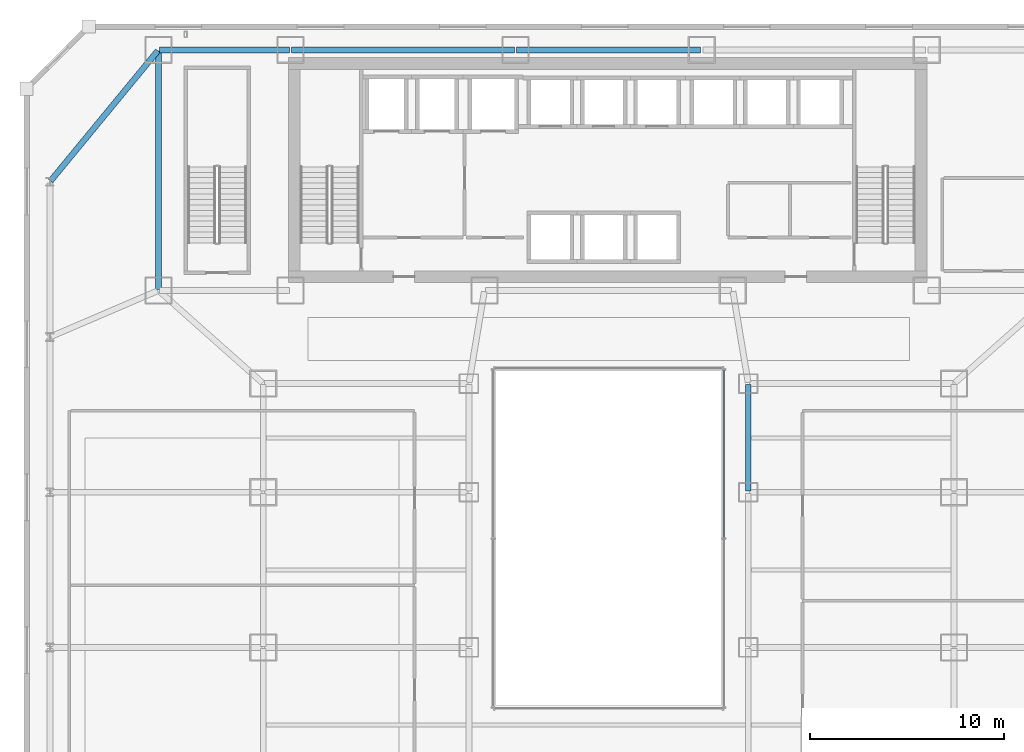
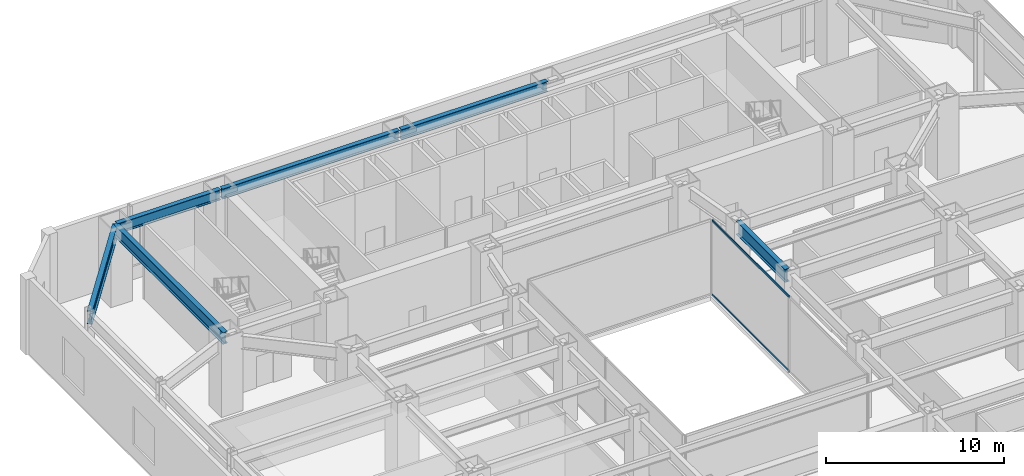
# One storey, part 25 of 53: 6 beams, 2 members, 1 element without a shape of its own.
"""IFC4 building model written with IfcOpenShell, lengths in metres."""

import ifcopenshell
import ifcopenshell.guid

model = None  # the IFC model being written
_history = None  # IfcOwnerHistory: only IFC2X3 demands one
_inside = {}  # id of a spatial element -> (the spatial element, [elements in it])
_under = {}  # id of a project, library or spatial element -> (it, [spatial elements below it])
_declared = {}  # id of a project -> (the project, [libraries it declares])
_typed = {}  # id of a type object -> (the type object, [elements of that type])
_made_of = {}  # id of a material, layer set ... -> (it, [elements and type objects made of it])


def new_model(schema):
    """Start an empty IFC model of exactly this schema.

    Asked for "IFC4X3", IfcOpenShell would pick the latest addendum, in which some entities
    have other attributes; the version numbers below select the first issue.
    IFC2X3 requires an IfcOwnerHistory on every rooted entity: one is made here for all.
    """
    global model, _history
    if schema == "IFC4X3":
        model = ifcopenshell.file(schema_version=(4, 3, 0, 0))
    else:
        model = ifcopenshell.file(schema=schema)
    _inside.clear()
    _under.clear()
    _declared.clear()
    _typed.clear()
    _made_of.clear()
    _history = None
    if model.schema == "IFC2X3":
        org = make("IfcOrganization", Name="unknown")
        user = make(
            "IfcPersonAndOrganization",
            ThePerson=make("IfcPerson", FamilyName="unknown"),
            TheOrganization=org,
        )
        app = make(
            "IfcApplication",
            ApplicationDeveloper=org,
            Version="unknown",
            ApplicationFullName="unknown",
            ApplicationIdentifier="unknown",
        )
        _history = make(
            "IfcOwnerHistory",
            OwningUser=user,
            OwningApplication=app,
            ChangeAction="ADDED",
            CreationDate=0,
        )
    return model


def make(cls, **values):
    """One entity of the class cls with the attributes given. An attribute that is None is left unset."""
    return model.create_entity(
        cls, **{name: value for name, value in values.items() if value is not None}
    )


def rooted(cls, **values):
    """An entity with a GlobalId (a new one), such as an element, a storey or a relation."""
    return make(cls, GlobalId=ifcopenshell.guid.new(), OwnerHistory=_history, **values)


def si_unit(unit_type, name, prefix=None):
    """IfcSIUnit, for example si_unit("LENGTHUNIT", "METRE", prefix="MILLI")."""
    return make("IfcSIUnit", UnitType=unit_type, Prefix=prefix, Name=name)


def assignment(units):
    """IfcUnitAssignment: the units of a project."""
    return None if units is None else make("IfcUnitAssignment", Units=units)


def point(xyz):
    """IfcCartesianPoint."""
    return None if xyz is None else make("IfcCartesianPoint", Coordinates=xyz)


def direction(xyz):
    """IfcDirection."""
    return None if xyz is None else make("IfcDirection", DirectionRatios=xyz)


def frame(location, z_axis=None, x_axis=None):
    """IfcAxis2Placement3D, a coordinate frame: its origin and axes. An axis left out is left unset."""
    return make(
        "IfcAxis2Placement3D",
        Location=point(location),
        Axis=direction(z_axis),
        RefDirection=direction(x_axis),
    )


def frame_2d(location, x_axis=None):
    """IfcAxis2Placement2D, a coordinate frame in the plane: its origin and x axis."""
    return make(
        "IfcAxis2Placement2D", Location=point(location), RefDirection=direction(x_axis)
    )


def origin():
    """The frame at (0, 0, 0) with its axes left unset."""
    return frame((0.0, 0.0, 0.0))


def origin_2d():
    """The frame at (0, 0) in the plane with its x axis left unset."""
    return frame_2d((0.0, 0.0))


def place(relative_to, where):
    """IfcLocalPlacement: puts the frame where relative to a parent placement (None: the world)."""
    return make(
        "IfcLocalPlacement", PlacementRelTo=relative_to, RelativePlacement=where
    )


def context(
    kind, dimensions, precision=None, world=None, true_north=None, identifier=None
):
    """IfcGeometricRepresentationContext, for example the 3D "Model" context."""
    return make(
        "IfcGeometricRepresentationContext",
        ContextIdentifier=identifier,
        ContextType=kind,
        CoordinateSpaceDimension=dimensions,
        Precision=precision,
        WorldCoordinateSystem=world,
        TrueNorth=true_north,
    )


def subcontext(parent, identifier, kind, view, scale=None):
    """IfcGeometricRepresentationSubContext, for example "Body" below "Model"."""
    return make(
        "IfcGeometricRepresentationSubContext",
        ContextIdentifier=identifier,
        ContextType=kind,
        ParentContext=parent,
        TargetScale=scale,
        TargetView=view,
    )


def project(units=None, contexts=None):
    """IfcProject with its units and contexts."""
    return rooted(
        "IfcProject",
        Name="project",
        RepresentationContexts=contexts,
        UnitsInContext=assignment(units),
    )


def spatial(cls, under=None, at=None, **own):
    """A site, building, storey or space (cls), placed at a placement, below another one or the project."""
    s = rooted(cls, ObjectPlacement=at, **own)
    if under is not None:
        _under.setdefault(under.id(), (under, []))[1].append(s)
    return s


def profile(cls, at=None, kind="AREA", **sizes):
    """A parametric profile (cls). Its sizes go by their IFC names, for example OverallWidth=200.0."""
    return make(cls, ProfileType=kind, Position=at, **sizes)


def hollow_rectangle(**sizes):
    """IfcRectangleHollowProfileDef."""
    return profile("IfcRectangleHollowProfileDef", **sizes)


def i_section(**sizes):
    """IfcIShapeProfileDef."""
    return profile("IfcIShapeProfileDef", **sizes)


def extrude(swept, where, along, depth):
    """IfcExtrudedAreaSolid: the profile swept, set in the frame where, extruded along a direction by depth."""
    return make(
        "IfcExtrudedAreaSolid",
        SweptArea=swept,
        Position=where,
        ExtrudedDirection=direction(along),
        Depth=depth,
    )


def shape(context_of_items, identifier, shape_type, items):
    """IfcShapeRepresentation: the items that make up one representation, for example the "Body"."""
    return make(
        "IfcShapeRepresentation",
        ContextOfItems=context_of_items,
        RepresentationIdentifier=identifier,
        RepresentationType=shape_type,
        Items=items,
    )


def material(Name=None, Category=None):
    """IfcMaterial."""
    return make("IfcMaterial", Name=Name, Category=Category)


def material_profile(
    of_material, cross_section, Name=None, Category=None, Priority=None
):
    """IfcMaterialProfile: a cross section and its material."""
    return make(
        "IfcMaterialProfile",
        Name=Name,
        Material=of_material,
        Profile=cross_section,
        Priority=Priority,
        Category=Category,
    )


def profile_set(profiles, Name=None, composite=None):
    """IfcMaterialProfileSet."""
    return make(
        "IfcMaterialProfileSet",
        Name=Name,
        MaterialProfiles=profiles,
        CompositeProfile=composite,
    )


def made_of(thing, what):
    """Note that an element or type object is made of a material, layer set ...; save() writes the relation."""
    if what is not None:
        _made_of.setdefault(what.id(), (what, []))[1].append(thing)
    return thing


def type_object(cls, material=None, **own):
    """A type object (cls), such as IfcWallType, which elements share."""
    return made_of(rooted(cls, **own), material)


def element(
    cls,
    number,
    at=None,
    inside=None,
    cuts=None,
    type_object=None,
    material=None,
    context=None,
    identifier="Body",
    shape_type=None,
    held_by="IfcProductDefinitionShape",
    body=None,
    shapes=None,
    **own,
):
    """One element of the class cls, such as IfcWall. Its Tag is "e" and its number.

    at: its placement. inside: the storey or other place that contains it. cuts: it is an
    opening in that element (IfcRelVoidsElement). A single representation is given by context,
    identifier, shape_type and body (its items); several are given by shapes. held_by: the class
    of the entity that holds the representations. save() writes the other relations.
    """
    e = rooted(cls, Tag="e%d" % number, ObjectPlacement=at, **own)
    if body is not None:
        shapes = [shape(context, identifier, shape_type, body)]
    if shapes is not None:
        e.Representation = make(held_by, Representations=shapes)
    if inside is not None:
        _inside.setdefault(inside.id(), (inside, []))[1].append(e)
    if cuts is not None:
        rooted(
            "IfcRelVoidsElement", RelatingBuildingElement=cuts, RelatedOpeningElement=e
        )
    if type_object is not None:
        _typed.setdefault(type_object.id(), (type_object, []))[1].append(e)
    return made_of(e, material)


def aggregate(whole, parts):
    """IfcRelAggregates: a whole, such as a stair, and the parts it consists of."""
    return rooted("IfcRelAggregates", RelatingObject=whole, RelatedObjects=parts)


def save(model, path):
    """Write the relations noted so far, then the file.

    IfcRelAggregates (storeys below a building ...), IfcRelContainedInSpatialStructure (elements
    in a storey), IfcRelDefinesByType, IfcRelAssociatesMaterial and IfcRelDeclares: one each for
    every whole, place, type object, material and project.
    """
    for whole, parts in _under.values():
        aggregate(whole, parts)
    for where, things in _inside.values():
        rooted(
            "IfcRelContainedInSpatialStructure",
            RelatedElements=things,
            RelatingStructure=where,
        )
    for kind, things in _typed.values():
        rooted("IfcRelDefinesByType", RelatedObjects=things, RelatingType=kind)
    for what, things in _made_of.values():
        rooted("IfcRelAssociatesMaterial", RelatedObjects=things, RelatingMaterial=what)
    for by, libraries in _declared.values():
        rooted("IfcRelDeclares", RelatingContext=by, RelatedDefinitions=libraries)
    model.write(path)


model = new_model("IFC4")

# Units and contexts
model_context = context("Model", 3, precision=1e-05, world=origin(), true_north=direction((0.0, 1.0)))
body_context = subcontext(model_context, "Body", "Model", "MODEL_VIEW")
ifc_project = project(units=[si_unit("LENGTHUNIT", "METRE"), si_unit("AREAUNIT", "SQUARE_METRE"), si_unit("VOLUMEUNIT", "CUBIC_METRE"), si_unit("PLANEANGLEUNIT", "RADIAN"), si_unit("MASSUNIT", "GRAM", prefix="KILO")], contexts=[model_context])

# Site, building, storey
site_placement = place(None, origin())
site = spatial("IfcSite", under=ifc_project, at=site_placement, CompositionType="ELEMENT")
building_placement = place(site_placement, origin())
building = spatial("IfcBuilding", under=site, at=building_placement, Name="Saevonmaru Cultural Tower", CompositionType="ELEMENT")
storey_placement = place(building_placement, frame((0.0, 0.0, 22.199951171875)))
storey = spatial("IfcBuildingStorey", under=building, at=storey_placement, Name="L04", CompositionType="ELEMENT", Elevation=22.199951171875)

# Beams
ifc_material_1 = material(Name="Steel SM420", Category="steel")
ifc_material_profile_1 = material_profile(ifc_material_1, i_section(OverallWidth=0.300048828125, OverallDepth=0.800048828125, WebThickness=0.013916015625, FlangeThickness=0.02587890625, FilletRadius=0.028076171875, at=origin_2d()), Name="H-800x300x14x26")
ifc_profile_set_1 = profile_set([ifc_material_profile_1], Name="Steel SM420")
beam_type_1 = type_object("IfcBeamType", Name="BM-G-H800", PredefinedType="BEAM", material=ifc_profile_set_1)
beam_1_placement = place(storey_placement, frame((6.800048828125, 54.739990234375, 4.75), z_axis=(0.0, -1.0, 0.0), x_axis=(1.0, 0.0, 0.0)))
element("IfcBeam", 1, at=beam_1_placement, inside=storey, type_object=beam_type_1, Name="L04 Spine Transverse Girder W", PredefinedType="BEAM", context=body_context, shape_type="SweptSolid", body=[
    extrude(i_section(OverallWidth=0.300048828125, OverallDepth=0.800048828125, WebThickness=0.013916015625, FlangeThickness=0.02587890625, FilletRadius=0.028076171875, at=origin_2d()), origin(), (0.0, 0.0, 1.0), 12.280029296875),
])
ifc_material_profile_2 = material_profile(ifc_material_1, i_section(OverallWidth=0.300048828125, OverallDepth=0.89990234375, WebThickness=0.01611328125, FlangeThickness=0.028076171875, FilletRadius=0.028076171875, at=origin_2d()), Name="H-900x300x16x28")
ifc_profile_set_2 = profile_set([ifc_material_profile_2], Name="Steel SM420")
beam_type_2 = type_object("IfcBeamType", Name="BM-G-H900", PredefinedType="BEAM", material=ifc_profile_set_2)
beam_2_placement = place(storey_placement, frame((37.199951171875, 32.06005859375, 4.699951171875), z_axis=(0.0, 1.0, 0.0), x_axis=(-1.0, 0.0, 0.0)))
element("IfcBeam", 2, at=beam_2_placement, inside=storey, type_object=beam_type_2, Name="L04 Podium Girder NS3-5", PredefinedType="BEAM", context=body_context, shape_type="SweptSolid", body=[
    extrude(i_section(OverallWidth=0.300048828125, OverallDepth=0.89990234375, WebThickness=0.01611328125, FlangeThickness=0.028076171875, FilletRadius=0.028076171875, at=origin_2d()), origin(), (0.0, 0.0, 1.0), 5.47998046875),
])
beam_3_placement = place(storey_placement, frame((1.238037109375, 48.04638671875, 4.699951171875), z_axis=(0.635726949651, 0.771914014309, 0.0), x_axis=(-0.771914014309, 0.635726949651, 0.0)))
element("IfcBeam", 3, at=beam_3_placement, inside=storey, type_object=beam_type_2, Name="BM-POD-TW2-L04", PredefinedType="BEAM", context=body_context, shape_type="SweptSolid", body=[
    extrude(i_section(OverallWidth=0.300048828125, OverallDepth=0.89990234375, WebThickness=0.01611328125, FlangeThickness=0.028076171875, FilletRadius=0.028076171875, at=origin_2d()), origin(), (0.0, 0.0, 1.0), 8.689208984375),
])
ifc_material_2 = material(Name="Steel SM355", Category="steel")
ifc_material_profile_3 = material_profile(ifc_material_2, i_section(OverallWidth=0.300048828125, OverallDepth=0.699951171875, WebThickness=0.012939453125, FlangeThickness=0.02392578125, FilletRadius=0.02587890625, at=origin_2d()), Name="H-700x300x13x24")
ifc_profile_set_3 = profile_set([ifc_material_profile_3], Name="Steel SM355")
beam_type_3 = type_object("IfcBeamType", Name="BM-SP-H700", PredefinedType="SPANDREL", material=ifc_profile_set_3)
beam_4_placement = place(storey_placement, frame((6.860107421875, 54.800048828125, 4.800048828125), z_axis=(1.0, 0.0, 0.0), x_axis=(0.0, 1.0, 0.0)))
element("IfcBeam", 4, at=beam_4_placement, inside=storey, type_object=beam_type_3, Name="L04 North Spine Girder 1", PredefinedType="SPANDREL", context=body_context, shape_type="SweptSolid", body=[
    extrude(i_section(OverallWidth=0.300048828125, OverallDepth=0.699951171875, WebThickness=0.012939453125, FlangeThickness=0.02392578125, FilletRadius=0.02587890625, at=origin_2d()), origin(), (0.0, 0.0, 1.0), 6.679931640625),
])
beam_5_placement = place(storey_placement, frame((13.659912109375, 54.800048828125, 4.800048828125), z_axis=(1.0, 0.0, 0.0), x_axis=(0.0, 1.0, 0.0)))
element("IfcBeam", 5, at=beam_5_placement, inside=storey, type_object=beam_type_3, Name="L04 North Spine Girder 2", PredefinedType="SPANDREL", context=body_context, shape_type="SweptSolid", body=[
    extrude(i_section(OverallWidth=0.300048828125, OverallDepth=0.699951171875, WebThickness=0.012939453125, FlangeThickness=0.02392578125, FilletRadius=0.02587890625, at=origin_2d()), origin(), (0.0, 0.0, 1.0), 11.47998046875),
])
beam_6_placement = place(storey_placement, frame((25.260009765625, 54.800048828125, 4.800048828125), z_axis=(1.0, 0.0, 0.0), x_axis=(0.0, 1.0, 0.0)))
element("IfcBeam", 6, at=beam_6_placement, inside=storey, type_object=beam_type_3, Name="L04 North Spine Girder 3", PredefinedType="SPANDREL", context=body_context, shape_type="SweptSolid", body=[
    extrude(i_section(OverallWidth=0.300048828125, OverallDepth=0.699951171875, WebThickness=0.012939453125, FlangeThickness=0.02392578125, FilletRadius=0.02587890625, at=origin_2d()), origin(), (0.0, 0.0, 1.0), 9.47998046875),
])

# Curtain wall, members
ifc_material_3 = material(Name="Satin Bronze Anodised Aluminium", Category="aluminium")
curtain_wall_type = type_object("IfcCurtainWallType", Name="CW-ATR-GLZ", PredefinedType="NOTDEFINED", material=ifc_material_3)
curtain_wall_placement = place(storey_placement, origin())
curtain_wall = element("IfcCurtainWall", 7, at=curtain_wall_placement, inside=storey, type_object=curtain_wall_type, Name="L04 Vertical Atrium Glazed Smoke Screen 2", PredefinedType="NOTDEFINED")
ifc_material_profile_4 = material_profile(ifc_material_3, hollow_rectangle(XDim=0.06494140625, YDim=0.14990234375, WallThickness=0.00390625, at=origin_2d()), Name="ALU-TRAN-150x65x4")
ifc_profile_set_4 = profile_set([ifc_material_profile_4], Name="Satin Bronze Anodised Aluminium")
member_type = type_object("IfcMemberType", Name="TR-CW-INT-150x65", PredefinedType="USERDEFINED", material=ifc_profile_set_4)
member_1_placement = place(storey_placement, frame((35.949951171875, 29.652587890625, 0.032470703125), z_axis=(0.0, 1.0, 0.0), x_axis=(-1.0, 0.0, 0.0)))
member_1 = element("IfcMember", 8, at=member_1_placement, type_object=member_type, Name="CW-ATR-L04-2 transom 2.1", ObjectType="TRANSOM", PredefinedType="USERDEFINED", context=body_context, shape_type="SweptSolid", body=[
    extrude(hollow_rectangle(XDim=0.06494140625, YDim=0.14990234375, WallThickness=0.00390625, at=origin_2d()), origin(), (0.0, 0.0, 1.0), 8.64501953125),
])
member_2_placement = place(storey_placement, frame((35.949951171875, 29.652587890625, 5.117431640625), z_axis=(0.0, 1.0, 0.0), x_axis=(-1.0, 0.0, 0.0)))
member_2 = element("IfcMember", 9, at=member_2_placement, type_object=member_type, Name="CW-ATR-L04-2 transom 2.2", ObjectType="TRANSOM", PredefinedType="USERDEFINED", context=body_context, shape_type="SweptSolid", body=[
    extrude(hollow_rectangle(XDim=0.06494140625, YDim=0.14990234375, WallThickness=0.00390625, at=origin_2d()), origin(), (0.0, 0.0, 1.0), 8.64501953125),
])
aggregate(curtain_wall, [member_1, member_2])

save(model, "model.ifc")
